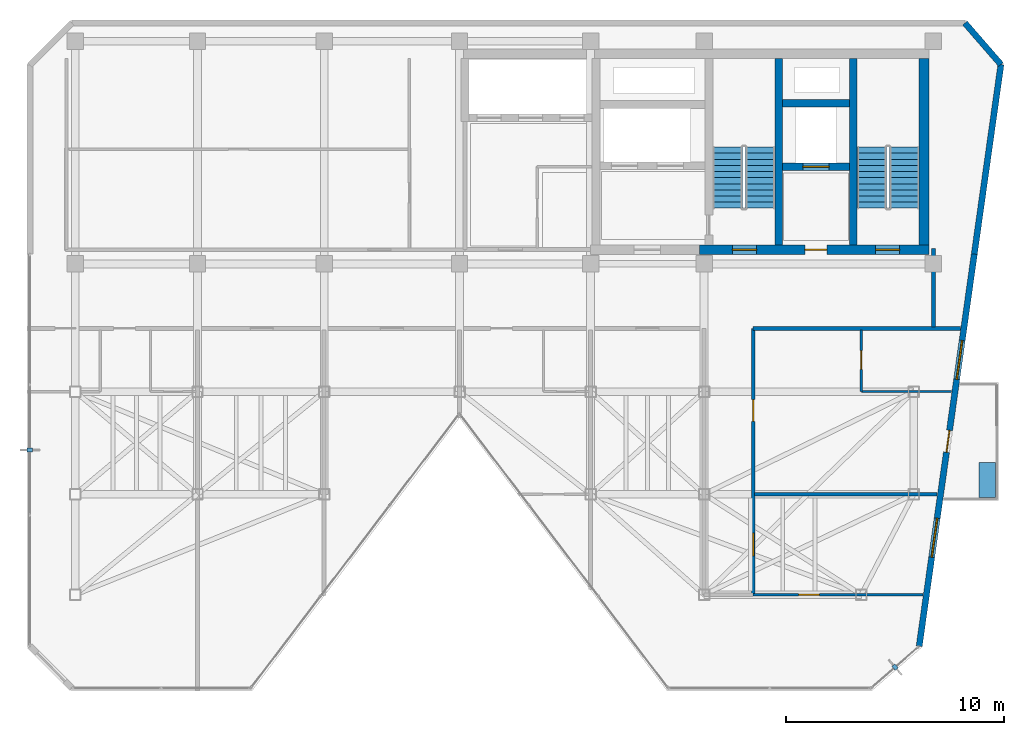
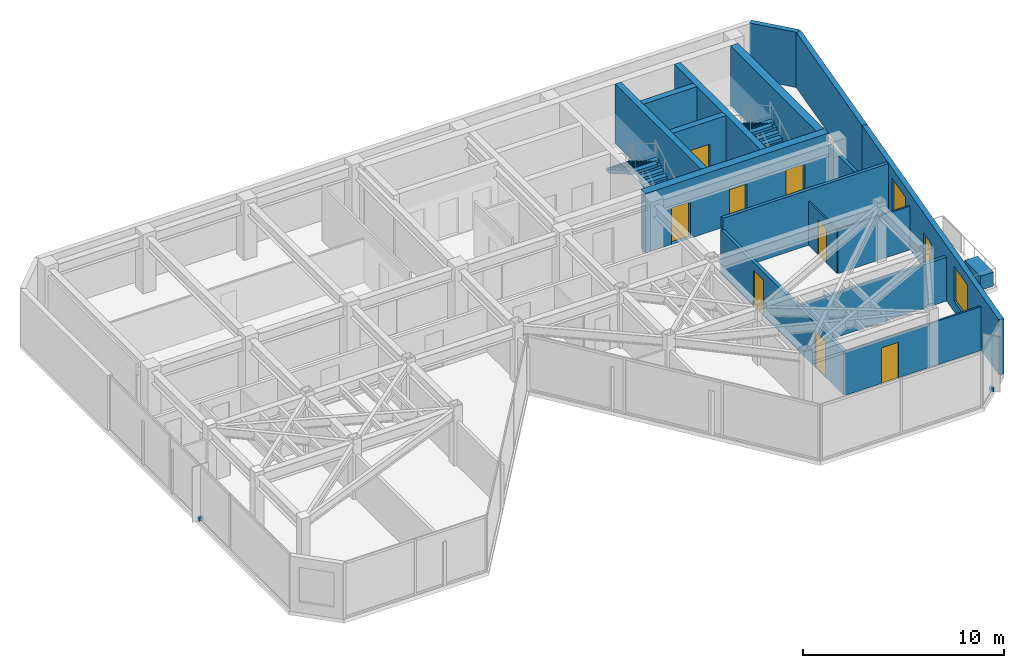
# One storey, part 17 of 19: 16 walls, 9 doors, 4 stair flights, 3 discrete accessories, 2 windows, 11 openings, 2 elements without a shape of their own.
"""IFC4 building model written with IfcOpenShell, lengths in metres."""

from ifc_helpers import new_model, si_unit, direction, frame, frame_2d, origin, origin_2d, place, context, subcontext, project, spatial, polyline, rectangle, outline, extrude, material, layer, layer_set, type_object, element, fill, aggregate, save


model = new_model("IFC4")

# Units and contexts
model_context = context("Model", 3, precision=1e-05, world=origin(), true_north=direction((0.0, 1.0)))
body_context = subcontext(model_context, "Body", "Model", "MODEL_VIEW")
ifc_project = project(units=[si_unit("LENGTHUNIT", "METRE"), si_unit("AREAUNIT", "SQUARE_METRE"), si_unit("VOLUMEUNIT", "CUBIC_METRE"), si_unit("PLANEANGLEUNIT", "RADIAN"), si_unit("MASSUNIT", "GRAM", prefix="KILO")], contexts=[model_context])

# Site, building, storey
site_placement = place(None, origin())
site = spatial("IfcSite", under=ifc_project, at=site_placement, CompositionType="ELEMENT")
building_placement = place(site_placement, origin())
building = spatial("IfcBuilding", under=site, at=building_placement, Name="Kravanh Interchange Tower", CompositionType="ELEMENT")
storey_placement = place(building_placement, frame((0.0, 0.0, 259.800048828125)))
storey = spatial("IfcBuildingStorey", under=building, at=storey_placement, Name="L63", CompositionType="ELEMENT", Elevation=259.800048828125)

# Walls
ifc_material_1 = material(Name="Concrete C60/75", Category="concrete")
ifc_layer_1 = layer(ifc_material_1, 0.35009765625)
ifc_layer_set_1 = layer_set([ifc_layer_1], Name="Core Shear Wall Concrete C60/75 350mm")
wall_type_1 = type_object("IfcWallType", Name="Core Shear Wall Concrete C60/75 350mm", PredefinedType="SHEAR", material=ifc_layer_set_1)
for number, where, z_axis, x_axis, name in (
    (1, (62.824951171875, 38.22509765625, 0.0), (0.0, 0.0, 1.0), (0.0, 1.0, 0.0), "L63 Stair ST1 West Shear Wall"),
    (2, (59.425048828125, 38.22509765625, 0.0), (0.0, 0.0, 1.0), (0.0, 1.0, 0.0), "L63 Stair ST2 East Shear Wall"),
):
    element("IfcWall", number, at=place(storey_placement, frame(where, z_axis=z_axis, x_axis=x_axis)), inside=storey, type_object=wall_type_1, Name=name, PredefinedType="SHEAR", context=body_context, shape_type="SweptSolid", body=[
        extrude(rectangle(XDim=8.52490234375, YDim=0.35009765625, at=frame_2d((4.262451171875, 0.0))), origin(), (0.0, 0.0, 1.0), 3.599853515625),
    ])

# Wall, opening, door
wall_1_placement = place(storey_placement, frame((59.60009765625, 41.800048828125, 0.0), z_axis=(0.0, 0.0, 1.0), x_axis=(1.0, 0.0, 0.0)))
wall_1 = element("IfcWall", 3, at=wall_1_placement, inside=storey, type_object=wall_type_1, Name="L63 Service Lift Shaft South Wall", PredefinedType="SHEAR", context=body_context, shape_type="SweptSolid", body=[
    extrude(rectangle(XDim=3.0498046875, YDim=0.35009765625, at=frame_2d((1.52490234375, 0.0))), origin(), (0.0, 0.0, 1.0), 3.599853515625),
])
opening_1_placement = place(wall_1_placement, frame((0.919921875, 0.0, 0.0)))
opening_1 = element("IfcOpeningElement", 4, at=opening_1_placement, cuts=wall_1, Name="Opening LD02", PredefinedType="OPENING", context=body_context, shape_type="SweptSolid", body=[
    extrude(rectangle(XDim=1.199951171875, YDim=2.199951171875, at=frame_2d((0.60009765625, 1.10009765625))), frame((0.0, 0.18505859375, 0.0), z_axis=(0.0, -1.0, 0.0), x_axis=(1.0, 0.0, 0.0)), (0.0, 0.0, 1.0), 0.3701171875),
])
ifc_material_2 = material(Name="Stainless Steel 316", Category="steel")
door_type_1 = type_object("IfcDoorType", Name="Fire and Service Lift Sliding Landing Door 1200x2200", OperationType="DOUBLE_DOOR_SLIDING", PredefinedType="DOOR", material=ifc_material_2)
door_1_placement = place(opening_1_placement, origin())
door_1 = element("IfcDoor", 5, at=door_1_placement, inside=storey, type_object=door_type_1, Name="L63 Lift LS-01 Landing Door", OperationType="DOUBLE_DOOR_SLIDING", OverallHeight=2.199951171875, OverallWidth=1.199951171875, PredefinedType="DOOR", context=body_context, shape_type="SweptSolid", body=[
    extrude(rectangle(XDim=1.199951171875, YDim=2.199951171875, at=frame_2d((0.60009765625, 1.10009765625))), frame((0.0, 0.02490234375, 0.0), z_axis=(0.0, -1.0, 0.0), x_axis=(1.0, 0.0, 0.0)), (0.0, 0.0, 1.0), 0.050048828125),
])
fill(opening_1, door_1)

# Wall
wall_2_placement = place(storey_placement, frame((59.60009765625, 44.699951171875, 0.0), z_axis=(0.0, 0.0, 1.0), x_axis=(1.0, 0.0, 0.0)))
element("IfcWall", 6, at=wall_2_placement, inside=storey, type_object=wall_type_1, Name="L63 Service Lift Shaft North Wall", PredefinedType="SHEAR", context=body_context, shape_type="SweptSolid", body=[
    extrude(rectangle(XDim=3.0498046875, YDim=0.35009765625, at=frame_2d((1.52490234375, 0.0))), origin(), (0.0, 0.0, 1.0), 3.599853515625),
])

# Wall, openings, doors
ifc_material_3 = material(Name="Concrete C60/75", Category="concrete")
ifc_layer_2 = layer(ifc_material_3, 0.449951171875)
ifc_layer_set_2 = layer_set([ifc_layer_2], Name="Core Shear Wall Concrete C60/75 450mm")
wall_type_2 = type_object("IfcWallType", Name="Core Shear Wall Concrete C60/75 450mm", PredefinedType="SHEAR", material=ifc_layer_set_2)
wall_3_placement = place(storey_placement, frame((55.800048828125, 38.0, 0.0), z_axis=(0.0, 0.0, 1.0), x_axis=(1.0, 0.0, 0.0)))
wall_3 = element("IfcWall", 7, at=wall_3_placement, inside=storey, type_object=wall_type_2, Name="L63 East Core South Shear Wall", PredefinedType="SHEAR", context=body_context, shape_type="SweptSolid", body=[
    extrude(rectangle(XDim=10.5, YDim=0.449951171875, at=frame_2d((5.25, 0.0))), origin(), (0.0, 0.0, 1.0), 3.599853515625),
])
opening_2_placement = place(wall_3_placement, frame((1.5, 0.0, 0.0)))
opening_2 = element("IfcOpeningElement", 8, at=opening_2_placement, cuts=wall_3, Name="Opening D-STAIR-110", PredefinedType="OPENING", context=body_context, shape_type="SweptSolid", body=[
    extrude(rectangle(XDim=1.10009765625, YDim=2.199951171875, at=frame_2d((0.550048828125, 1.10009765625))), frame((0.0, 0.23486328125, 0.0), z_axis=(0.0, -1.0, 0.0), x_axis=(1.0, 0.0, 0.0)), (0.0, 0.0, 1.0), 0.469970703125),
])
opening_3_placement = place(wall_3_placement, frame((4.820068359375, 0.0, 0.0)))
opening_3 = element("IfcOpeningElement", 9, at=opening_3_placement, cuts=wall_3, Name="Opening D-HOTEL-100", PredefinedType="OPENING", context=body_context, shape_type="SweptSolid", body=[
    extrude(rectangle(XDim=1.0, YDim=2.14990234375, at=frame_2d((0.5, 1.074951171875))), frame((0.0, 0.23486328125, 0.0), z_axis=(0.0, -1.0, 0.0), x_axis=(1.0, 0.0, 0.0)), (0.0, 0.0, 1.0), 0.469970703125),
])
opening_4_placement = place(wall_3_placement, frame((8.050048828125, 0.0, 0.0)))
opening_4 = element("IfcOpeningElement", 10, at=opening_4_placement, cuts=wall_3, Name="Opening D-STAIR-110", PredefinedType="OPENING", context=body_context, shape_type="SweptSolid", body=[
    extrude(rectangle(XDim=1.10009765625, YDim=2.199951171875, at=frame_2d((0.550048828125, 1.10009765625))), frame((0.0, 0.23486328125, 0.0), z_axis=(0.0, -1.0, 0.0), x_axis=(1.0, 0.0, 0.0)), (0.0, 0.0, 1.0), 0.469970703125),
])
ifc_material_4 = material(Name="Structural Steel S355", Category="steel")
door_type_2 = type_object("IfcDoorType", Name="Fire-Rated Exit Stair Door 1100x2200", OperationType="NOTDEFINED", PredefinedType="DOOR", material=ifc_material_4)
door_2_placement = place(opening_2_placement, origin())
door_2 = element("IfcDoor", 11, at=door_2_placement, inside=storey, type_object=door_type_2, Name="L63 Exit Stair ST2 Door", OperationType="SINGLE_SWING_RIGHT", OverallHeight=2.199951171875, OverallWidth=1.10009765625, PredefinedType="DOOR", context=body_context, shape_type="SweptSolid", body=[
    extrude(rectangle(XDim=1.10009765625, YDim=2.199951171875, at=frame_2d((0.550048828125, 1.10009765625))), frame((0.0, 0.02490234375, 0.0), z_axis=(0.0, -1.0, 0.0), x_axis=(1.0, 0.0, 0.0)), (0.0, 0.0, 1.0), 0.050048828125),
])
fill(opening_2, door_2)
door_3_placement = place(opening_4_placement, origin())
door_3 = element("IfcDoor", 12, at=door_3_placement, inside=storey, type_object=door_type_2, Name="L63 Exit Stair ST1 Door", OperationType="SINGLE_SWING_RIGHT", OverallHeight=2.199951171875, OverallWidth=1.10009765625, PredefinedType="DOOR", context=body_context, shape_type="SweptSolid", body=[
    extrude(rectangle(XDim=1.10009765625, YDim=2.199951171875, at=frame_2d((0.550048828125, 1.10009765625))), frame((0.0, 0.02490234375, 0.0), z_axis=(0.0, -1.0, 0.0), x_axis=(1.0, 0.0, 0.0)), (0.0, 0.0, 1.0), 0.050048828125),
])
fill(opening_4, door_3)
ifc_material_5 = material(Name="Fire-Rated Solid Timber Leaf", Category="wood")
door_type_3 = type_object("IfcDoorType", Name="Fire-Rated Suite Entrance Door 1000x2150", OperationType="NOTDEFINED", PredefinedType="DOOR", material=ifc_material_5)
door_4_placement = place(opening_3_placement, origin())
door_4 = element("IfcDoor", 13, at=door_4_placement, inside=storey, type_object=door_type_3, Name="L63 Service Lift Lobby Door", OperationType="SINGLE_SWING_RIGHT", OverallHeight=2.14990234375, OverallWidth=1.0, PredefinedType="DOOR", context=body_context, shape_type="SweptSolid", body=[
    extrude(rectangle(XDim=1.0, YDim=2.14990234375, at=frame_2d((0.5, 1.074951171875))), frame((0.0, 0.02490234375, 0.0), z_axis=(0.0, -1.0, 0.0), x_axis=(1.0, 0.0, 0.0)), (0.0, 0.0, 1.0), 0.050048828125),
])
fill(opening_3, door_4)

# Wall
wall_4_placement = place(storey_placement, frame((66.074951171875, 38.22509765625, 0.0), z_axis=(0.0, 0.0, 1.0), x_axis=(0.0, 1.0, 0.0)))
element("IfcWall", 14, at=wall_4_placement, inside=storey, type_object=wall_type_2, Name="L63 Stair ST1 East Shear Wall", PredefinedType="SHEAR", context=body_context, shape_type="SweptSolid", body=[
    extrude(rectangle(XDim=8.52490234375, YDim=0.449951171875, at=frame_2d((4.262451171875, 0.0))), origin(), (0.0, 0.0, 1.0), 3.599853515625),
])

# Wall, opening, door
ifc_material_6 = material(Name="Moisture-Resistant Gypsum Board and Mineral Wool")
ifc_layer_3 = layer(ifc_material_6, 0.10009765625)
ifc_layer_set_3 = layer_set([ifc_layer_3], Name="En-Suite Moisture-Resistant Partition 100mm")
wall_type_3 = type_object("IfcWallType", Name="En-Suite Moisture-Resistant Partition 100mm", PredefinedType="PARTITIONING", material=ifc_layer_set_3)
wall_5_placement = place(storey_placement, frame((58.25, 22.199951171875, 0.0), z_axis=(0.0, 0.0, 1.0), x_axis=(1.0, 0.0, 0.0)))
wall_5 = element("IfcWall", 15, at=wall_5_placement, inside=storey, type_object=wall_type_3, Name="L63 Interior Partition 18", PredefinedType="PARTITIONING", context=body_context, shape_type="SweptSolid", body=[
    extrude(rectangle(XDim=7.765869140625, YDim=0.10009765625, at=frame_2d((3.8828125, 0.0))), origin(), (0.0, 0.0, 1.0), 2.654052734375),
])
opening_5_placement = place(wall_5_placement, frame((2.074951171875, 0.0, 0.0)))
opening_5 = element("IfcOpeningElement", 16, at=opening_5_placement, cuts=wall_5, Name="Opening D-95", PredefinedType="OPENING", context=body_context, shape_type="SweptSolid", body=[
    extrude(rectangle(XDim=0.949951171875, YDim=2.14990234375, at=frame_2d((0.47509765625, 1.074951171875))), frame((0.0, 0.06005859375, 0.0), z_axis=(0.0, -1.0, 0.0), x_axis=(1.0, 0.0, 0.0)), (0.0, 0.0, 1.0), 0.1201171875),
])
ifc_material_7 = material(Name="Laminate Solid-Core Timber", Category="wood")
door_type_4 = type_object("IfcDoorType", Name="Accessible Restroom Door 950x2150", OperationType="NOTDEFINED", PredefinedType="DOOR", material=ifc_material_7)
door_5_placement = place(opening_5_placement, origin())
door_5 = element("IfcDoor", 17, at=door_5_placement, inside=storey, type_object=door_type_4, Name="L63 SE Sunroom Inner Door", OperationType="SINGLE_SWING_RIGHT", OverallHeight=2.14990234375, OverallWidth=0.949951171875, PredefinedType="DOOR", context=body_context, shape_type="SweptSolid", body=[
    extrude(rectangle(XDim=0.949951171875, YDim=2.14990234375, at=frame_2d((0.47509765625, 1.074951171875))), frame((0.0, 0.02490234375, 0.0), z_axis=(0.0, -1.0, 0.0), x_axis=(1.0, 0.0, 0.0)), (0.0, 0.0, 1.0), 0.050048828125),
])
fill(opening_5, door_5)

# Wall
wall_6_placement = place(storey_placement, frame((63.199951171875, 31.5, 0.0), z_axis=(0.0, 0.0, 1.0), x_axis=(1.0, 0.0, 0.0)))
element("IfcWall", 18, at=wall_6_placement, inside=storey, type_object=wall_type_3, Name="L63 Interior Partition 19", PredefinedType="PARTITIONING", context=body_context, shape_type="SweptSolid", body=[
    extrude(rectangle(XDim=4.123046875, YDim=0.10009765625, at=frame_2d((2.0615234375, 0.0))), origin(), (0.0, 0.0, 1.0), 2.654052734375),
])

# Wall, opening, door
wall_7_placement = place(storey_placement, frame((63.199951171875, 31.5, 0.0), z_axis=(0.0, 0.0, 1.0), x_axis=(0.0, 1.0, 0.0)))
wall_7 = element("IfcWall", 19, at=wall_7_placement, inside=storey, type_object=wall_type_3, Name="L63 Interior Partition 20", PredefinedType="PARTITIONING", context=body_context, shape_type="SweptSolid", body=[
    extrude(rectangle(XDim=2.83203125, YDim=0.10009765625, at=frame_2d((1.416015625, 0.0))), origin(), (0.0, 0.0, 1.0), 2.654052734375),
])
opening_6_placement = place(wall_7_placement, frame((1.02490234375, 0.0, 0.0)))
opening_6 = element("IfcOpeningElement", 20, at=opening_6_placement, cuts=wall_7, Name="Opening D-85", PredefinedType="OPENING", context=body_context, shape_type="SweptSolid", body=[
    extrude(rectangle(XDim=0.85009765625, YDim=2.10009765625, at=frame_2d((0.425048828125, 1.050048828125))), frame((0.0, 0.06005859375, 0.0), z_axis=(0.0, -1.0, 0.0), x_axis=(1.0, 0.0, 0.0)), (0.0, 0.0, 1.0), 0.1201171875),
])
ifc_material_8 = material(Name="Engineered Teak Veneer Timber", Category="wood")
door_type_5 = type_object("IfcDoorType", Name="En-Suite Timber Door 850x2100", OperationType="NOTDEFINED", PredefinedType="DOOR", material=ifc_material_8)
door_6_placement = place(opening_6_placement, origin())
door_6 = element("IfcDoor", 21, at=door_6_placement, inside=storey, type_object=door_type_5, Name="L63 En-suite Bathroom Door", OperationType="SINGLE_SWING_RIGHT", OverallHeight=2.10009765625, OverallWidth=0.85009765625, PredefinedType="DOOR", context=body_context, shape_type="SweptSolid", body=[
    extrude(rectangle(XDim=0.85009765625, YDim=2.10009765625, at=frame_2d((0.425048828125, 1.050048828125))), frame((0.0, 0.02490234375, 0.0), z_axis=(0.0, -1.0, 0.0), x_axis=(1.0, 0.0, 0.0)), (0.0, 0.0, 1.0), 0.050048828125),
])
fill(opening_6, door_6)

# Walls
ifc_material_9 = material(Name="Insulated Precast Concrete C40/50 with Bronze Cladding", Category="concrete")
ifc_layer_4 = layer(ifc_material_9, 0.280029296875)
ifc_layer_set_4 = layer_set([ifc_layer_4], Name="Exterior Insulated Concrete C40/50 Bronze Spandrel Wall 280mm")
wall_type_4 = type_object("IfcWallType", Name="Exterior Insulated Concrete C40/50 Bronze Spandrel Wall 280mm", PredefinedType="STANDARD", material=ifc_layer_set_4)
wall_8_placement = place(storey_placement, frame((67.9453125, 48.3798828125, 0.0), z_axis=(0.0, 0.0, 1.0), x_axis=(0.656068147197, -0.75470165379, 0.0)))
element("IfcWall", 22, at=wall_8_placement, inside=storey, type_object=wall_type_4, Name="L63 Exterior Wall 4", PredefinedType="STANDARD", context=body_context, shape_type="SweptSolid", body=[
    extrude(rectangle(XDim=2.514892578125, YDim=0.280029296875, at=frame_2d((1.25732421875, 0.0))), origin(), (0.0, 0.0, 1.0), 3.349853515625),
])
wall_9_placement = place(storey_placement, frame((69.59521484375, 46.48193359375, 0.0), z_axis=(0.0, 0.0, 1.0), x_axis=(-0.139179310088, -0.990267196086, 0.0)))
element("IfcWall", 23, at=wall_9_placement, inside=storey, type_object=wall_type_4, Name="L63 Exterior Wall 5", PredefinedType="STANDARD", context=body_context, shape_type="SweptSolid", body=[
    extrude(rectangle(XDim=8.767333984375, YDim=0.280029296875, at=frame_2d((4.3837890625, 0.0))), origin(), (0.0, 0.0, 1.0), 3.349853515625),
])

# Wall, openings, door, windows
wall_10_placement = place(storey_placement, frame((68.375, 37.800048828125, 0.0), z_axis=(0.0, 0.0, 1.0), x_axis=(-0.13917438523, -0.990267888248, 0.0)))
wall_10 = element("IfcWall", 24, at=wall_10_placement, inside=storey, type_object=wall_type_4, Name="L63 Exterior Wall 6", PredefinedType="STANDARD", context=body_context, shape_type="SweptSolid", body=[
    extrude(rectangle(XDim=18.135009765625, YDim=0.280029296875, at=frame_2d((9.0673828125, 0.0))), origin(), (0.0, 0.0, 1.0), 3.349853515625),
])
opening_7_placement = place(wall_10_placement, frame((8.15771484375, 0.0, 0.0)))
opening_7 = element("IfcOpeningElement", 25, at=opening_7_placement, cuts=wall_10, Name="Opening ED-BAL100", PredefinedType="OPENING", context=body_context, shape_type="SweptSolid", body=[
    extrude(rectangle(XDim=1.0, YDim=2.14990234375, at=frame_2d((0.5, 1.074951171875))), frame((0.0, 0.14990234375, 0.0), z_axis=(0.0, -1.0, 0.0), x_axis=(1.0, 0.0, 0.0)), (0.0, 0.0, 1.0), 0.300048828125),
])
opening_8_placement = place(wall_10_placement, frame((3.997314453125, 0.0, 0.64990234375)))
opening_8 = element("IfcOpeningElement", 26, at=opening_8_placement, cuts=wall_10, Name="Opening WN-180X210", PredefinedType="OPENING", context=body_context, shape_type="SweptSolid", body=[
    extrude(rectangle(XDim=1.800048828125, YDim=2.10009765625, at=frame_2d((0.89990234375, 1.050048828125))), frame((0.0, 0.14990234375, 0.0), z_axis=(0.0, -1.0, 0.0), x_axis=(1.0, 0.0, 0.0)), (0.0, 0.0, 1.0), 0.300048828125),
])
opening_9_placement = place(wall_10_placement, frame((12.216796875, 0.0, 0.64990234375)))
opening_9 = element("IfcOpeningElement", 27, at=opening_9_placement, cuts=wall_10, Name="Opening WN-180X210", PredefinedType="OPENING", context=body_context, shape_type="SweptSolid", body=[
    extrude(rectangle(XDim=1.800048828125, YDim=2.10009765625, at=frame_2d((0.89990234375, 1.050048828125))), frame((0.0, 0.14990234375, 0.0), z_axis=(0.0, -1.0, 0.0), x_axis=(1.0, 0.0, 0.0)), (0.0, 0.0, 1.0), 0.300048828125),
])
ifc_material_10 = material(Name="Thermally Broken Bronze Aluminium and Laminated Glass", Category="aluminium")
door_type_6 = type_object("IfcDoorType", Name="Balcony Glazed Door 1000x2150", OperationType="NOTDEFINED", PredefinedType="DOOR", material=ifc_material_10)
door_7_placement = place(opening_7_placement, origin())
door_7 = element("IfcDoor", 28, at=door_7_placement, inside=storey, type_object=door_type_6, Name="L63 E Tree Balcony Access Door", OperationType="SINGLE_SWING_RIGHT", OverallHeight=2.14990234375, OverallWidth=1.0, PredefinedType="DOOR", context=body_context, shape_type="SweptSolid", body=[
    extrude(rectangle(XDim=1.0, YDim=2.14990234375, at=frame_2d((0.5, 1.074951171875))), frame((0.0, 0.02490234375, 0.0), z_axis=(0.0, -1.0, 0.0), x_axis=(1.0, 0.0, 0.0)), (0.0, 0.0, 1.0), 0.050048828125),
])
fill(opening_7, door_7)
ifc_material_11 = material(Name="Thermally Broken Bronze Aluminium and Low-E Glass", Category="aluminium")
window_type = type_object("IfcWindowType", Name="Tower Pier Window 1800x2100", PartitioningType="SINGLE_PANEL", PredefinedType="WINDOW", material=ifc_material_11)
window_1_placement = place(opening_8_placement, origin())
window_1 = element("IfcWindow", 29, at=window_1_placement, inside=storey, type_object=window_type, Name="L63 Facade Window 6A", OverallHeight=2.10009765625, OverallWidth=1.800048828125, PartitioningType="SINGLE_PANEL", PredefinedType="WINDOW", context=body_context, shape_type="SweptSolid", body=[
    extrude(rectangle(XDim=1.800048828125, YDim=2.10009765625, at=frame_2d((0.89990234375, 1.050048828125))), frame((0.0, 0.030029296875, 0.0), z_axis=(0.0, -1.0, 0.0), x_axis=(1.0, 0.0, 0.0)), (0.0, 0.0, 1.0), 0.06005859375),
])
fill(opening_8, window_1)
window_2_placement = place(opening_9_placement, origin())
window_2 = element("IfcWindow", 30, at=window_2_placement, inside=storey, type_object=window_type, Name="L63 Facade Window 6B", OverallHeight=2.10009765625, OverallWidth=1.800048828125, PartitioningType="SINGLE_PANEL", PredefinedType="WINDOW", context=body_context, shape_type="SweptSolid", body=[
    extrude(rectangle(XDim=1.800048828125, YDim=2.10009765625, at=frame_2d((0.89990234375, 1.050048828125))), frame((0.0, 0.030029296875, 0.0), z_axis=(0.0, -1.0, 0.0), x_axis=(1.0, 0.0, 0.0)), (0.0, 0.0, 1.0), 0.06005859375),
])
fill(opening_9, window_2)

# Walls
ifc_material_12 = material(Name="Autoclaved Aerated Concrete C30/37 Blockwork", Category="masonry")
ifc_layer_5 = layer(ifc_material_12, 0.179931640625)
ifc_layer_set_5 = layer_set([ifc_layer_5], Name="Fire-Rated Lobby and Corridor Wall Concrete C30/37 180mm")
wall_type_5 = type_object("IfcWallType", Name="Fire-Rated Lobby and Corridor Wall Concrete C30/37 180mm", PredefinedType="STANDARD", material=ifc_layer_set_5)
wall_11_placement = place(storey_placement, frame((58.25, 34.39990234375, 0.0), z_axis=(0.0, 0.0, 1.0), x_axis=(1.0, 0.0, 0.0)))
element("IfcWall", 31, at=wall_11_placement, inside=storey, type_object=wall_type_5, Name="L63 Interior Partition 10", PredefinedType="STANDARD", context=body_context, shape_type="SweptSolid", body=[
    extrude(rectangle(XDim=9.48046875, YDim=0.179931640625, at=frame_2d((4.740234375, 0.0))), origin(), (0.0, 0.0, 1.0), 3.349853515625),
])
wall_12_placement = place(storey_placement, frame((66.5, 34.468017578125, 0.0), z_axis=(0.0, 0.0, 1.0), x_axis=(0.0, 1.0, 0.0)))
element("IfcWall", 32, at=wall_12_placement, inside=storey, type_object=wall_type_5, Name="L63 Interior Partition 11", PredefinedType="STANDARD", context=body_context, shape_type="SweptSolid", body=[
    extrude(rectangle(XDim=3.58203125, YDim=0.179931640625, at=frame_2d((1.791015625, 0.0))), origin(), (0.0, 0.0, 1.0), 2.654052734375),
])

# Wall, openings, doors
wall_13_placement = place(storey_placement, frame((58.25, 22.199951171875, 0.0), z_axis=(0.0, 0.0, 1.0), x_axis=(0.0, 1.0, 0.0)))
wall_13 = element("IfcWall", 33, at=wall_13_placement, inside=storey, type_object=wall_type_5, Name="L63 Interior Partition 13", PredefinedType="STANDARD", context=body_context, shape_type="SweptSolid", body=[
    extrude(rectangle(XDim=12.199951171875, YDim=0.179931640625, at=frame_2d((6.10009765625, 0.0))), origin(), (0.0, 0.0, 1.0), 2.654052734375),
])
opening_10_placement = place(wall_13_placement, frame((1.77490234375, 0.0, 0.0)))
opening_10 = element("IfcOpeningElement", 34, at=opening_10_placement, cuts=wall_13, Name="Opening D-105", PredefinedType="OPENING", context=body_context, shape_type="SweptSolid", body=[
    extrude(rectangle(XDim=1.050048828125, YDim=2.199951171875, at=frame_2d((0.52490234375, 1.10009765625))), frame((0.0, 0.10009765625, 0.0), z_axis=(0.0, -1.0, 0.0), x_axis=(1.0, 0.0, 0.0)), (0.0, 0.0, 1.0), 0.199951171875),
])
opening_11_placement = place(wall_13_placement, frame((7.93994140625, 0.0, 0.0)))
opening_11 = element("IfcOpeningElement", 35, at=opening_11_placement, cuts=wall_13, Name="Opening D-HOTEL-100", PredefinedType="OPENING", context=body_context, shape_type="SweptSolid", body=[
    extrude(rectangle(XDim=1.0, YDim=2.14990234375, at=frame_2d((0.5, 1.074951171875))), frame((0.0, 0.10009765625, 0.0), z_axis=(0.0, -1.0, 0.0), x_axis=(1.0, 0.0, 0.0)), (0.0, 0.0, 1.0), 0.199951171875),
])
door_8_placement = place(opening_11_placement, origin())
door_8 = element("IfcDoor", 36, at=door_8_placement, inside=storey, type_object=door_type_3, Name="L63 Hotel Guest Room East Entrance Door", OperationType="SINGLE_SWING_LEFT", OverallHeight=2.14990234375, OverallWidth=1.0, PredefinedType="DOOR", context=body_context, shape_type="SweptSolid", body=[
    extrude(rectangle(XDim=1.0, YDim=2.14990234375, at=frame_2d((0.5, 1.074951171875))), frame((0.0, 0.02490234375, 0.0), z_axis=(0.0, -1.0, 0.0), x_axis=(1.0, 0.0, 0.0)), (0.0, 0.0, 1.0), 0.050048828125),
])
fill(opening_11, door_8)
ifc_material_13 = material(Name="Acoustic Glazed Oak and Aluminium", Category="aluminium")
door_type_7 = type_object("IfcDoorType", Name="Office Workplace Door 1050x2200", OperationType="NOTDEFINED", PredefinedType="DOOR", material=ifc_material_13)
door_9_placement = place(opening_10_placement, origin())
door_9 = element("IfcDoor", 37, at=door_9_placement, inside=storey, type_object=door_type_7, Name="L63 East Sky Salon Lounge Door", OperationType="SINGLE_SWING_LEFT", OverallHeight=2.199951171875, OverallWidth=1.050048828125, PredefinedType="DOOR", context=body_context, shape_type="SweptSolid", body=[
    extrude(rectangle(XDim=1.050048828125, YDim=2.199951171875, at=frame_2d((0.52490234375, 1.10009765625))), frame((0.0, 0.02490234375, 0.0), z_axis=(0.0, -1.0, 0.0), x_axis=(1.0, 0.0, 0.0)), (0.0, 0.0, 1.0), 0.050048828125),
])
fill(opening_10, door_9)

# Wall
wall_14_placement = place(storey_placement, frame((58.318115234375, 26.800048828125, 0.0), z_axis=(0.0, 0.0, 1.0), x_axis=(1.0, 0.0, 0.0)))
element("IfcWall", 38, at=wall_14_placement, inside=storey, type_object=wall_type_5, Name="L63 Interior Partition 17", PredefinedType="STANDARD", context=body_context, shape_type="SweptSolid", body=[
    extrude(rectangle(XDim=8.34423828125, YDim=0.179931640625, at=frame_2d((4.172119140625, 0.0))), origin(), (0.0, 0.0, 1.0), 2.654052734375),
])

# Stair, stair flights
ifc_material_14 = material(Name="Concrete C50/60", Category="concrete")
stair_type = type_object("IfcStairType", Name="Core Fire Exit Dogleg Stair Concrete C50/60", PredefinedType="HALF_TURN_STAIR", material=ifc_material_14)
stair_1_placement = place(storey_placement, origin())
stair_1 = element("IfcStair", 39, at=stair_1_placement, inside=storey, type_object=stair_type, Name="L63 Exit Stair ST1", PredefinedType="HALF_TURN_STAIR")
ifc_material_15 = material(Name="Precast Concrete C50/60", Category="concrete")
ifc_layer_6 = layer(ifc_material_15, 0.199951171875)
ifc_layer_set_6 = layer_set([ifc_layer_6], Name="Precast Concrete C50/60 Stair Flight 1350mm")
stair_flight_type = type_object("IfcStairFlightType", Name="Precast Concrete C50/60 Stair Flight 1350mm", PredefinedType="STRAIGHT", material=ifc_layer_set_6)
stair_flight_1_placement = place(storey_placement, frame((65.175048828125, 39.89990234375, 0.0), z_axis=(0.0, 0.0, 1.0), x_axis=(0.0, 1.0, 0.0)))
stair_flight_1 = element("IfcStairFlight", 40, at=stair_flight_1_placement, type_object=stair_flight_type, Name="ST1 flight 1", NumberOfRisers=11, NumberOfTreads=10, PredefinedType="STRAIGHT", RiserHeight=0.163636364, TreadLength=0.28, context=body_context, shape_type="SweptSolid", body=[
    extrude(outline(polyline([(0.0, 0.0), (0.0, 0.16357421875), (0.280029296875, 0.16357421875), (0.280029296875, 0.327392578125), (0.56005859375, 0.327392578125), (0.56005859375, 0.490966796875), (0.840087890625, 0.490966796875), (0.840087890625, 0.654541015625), (1.1201171875, 0.654541015625), (1.1201171875, 0.818115234375), (1.39990234375, 0.818115234375), (1.39990234375, 0.98193359375), (1.679931640625, 0.98193359375), (1.679931640625, 1.1455078125), (1.9599609375, 1.1455078125), (1.9599609375, 1.30908203125), (2.239990234375, 1.30908203125), (2.239990234375, 1.47265625), (2.52001953125, 1.47265625), (2.52001953125, 1.636474609375), (2.800048828125, 1.636474609375), (2.800048828125, 1.800048828125), (2.800048828125, 1.462646484375), (0.297119140625, 0.0), (0.0, 0.0)])), frame((0.0, 0.675048828125, 0.0), z_axis=(0.0, -1.0, 0.0), x_axis=(1.0, 0.0, 0.0)), (0.0, 0.0, 1.0), 1.35009765625),
])
stair_flight_2_placement = place(storey_placement, frame((63.675048828125, 42.699951171875, 1.800048828125), z_axis=(0.0, 0.0, 1.0), x_axis=(0.0, -1.0, 0.0)))
stair_flight_2 = element("IfcStairFlight", 41, at=stair_flight_2_placement, type_object=stair_flight_type, Name="ST1 flight 2", NumberOfRisers=11, NumberOfTreads=10, PredefinedType="STRAIGHT", RiserHeight=0.163636364, TreadLength=0.28, context=body_context, shape_type="SweptSolid", body=[
    extrude(outline(polyline([(0.0, 0.0), (0.0, 0.16357421875), (0.280029296875, 0.16357421875), (0.280029296875, 0.327392578125), (0.56005859375, 0.327392578125), (0.56005859375, 0.490966796875), (0.840087890625, 0.490966796875), (0.840087890625, 0.654541015625), (1.1201171875, 0.654541015625), (1.1201171875, 0.818115234375), (1.39990234375, 0.818115234375), (1.39990234375, 0.98193359375), (1.679931640625, 0.98193359375), (1.679931640625, 1.1455078125), (1.9599609375, 1.1455078125), (1.9599609375, 1.30908203125), (2.239990234375, 1.30908203125), (2.239990234375, 1.47265625), (2.52001953125, 1.47265625), (2.52001953125, 1.636474609375), (2.800048828125, 1.636474609375), (2.800048828125, 1.800048828125), (2.800048828125, 1.462646484375), (0.297119140625, 0.0), (0.0, 0.0)])), frame((0.0, 0.675048828125, 0.0), z_axis=(0.0, -1.0, 0.0), x_axis=(1.0, 0.0, 0.0)), (0.0, 0.0, 1.0), 1.35009765625),
])
aggregate(stair_1, [stair_flight_1, stair_flight_2])

stair_2_placement = place(storey_placement, origin())
stair_2 = element("IfcStair", 42, at=stair_2_placement, inside=storey, type_object=stair_type, Name="L63 Exit Stair ST2", PredefinedType="HALF_TURN_STAIR")
stair_flight_3_placement = place(storey_placement, frame((58.574951171875, 39.89990234375, 0.0), z_axis=(0.0, 0.0, 1.0), x_axis=(0.0, 1.0, 0.0)))
stair_flight_3 = element("IfcStairFlight", 43, at=stair_flight_3_placement, type_object=stair_flight_type, Name="ST2 flight 1", NumberOfRisers=11, NumberOfTreads=10, PredefinedType="STRAIGHT", RiserHeight=0.163636364, TreadLength=0.28, context=body_context, shape_type="SweptSolid", body=[
    extrude(outline(polyline([(0.0, 0.0), (0.0, 0.16357421875), (0.280029296875, 0.16357421875), (0.280029296875, 0.327392578125), (0.56005859375, 0.327392578125), (0.56005859375, 0.490966796875), (0.840087890625, 0.490966796875), (0.840087890625, 0.654541015625), (1.1201171875, 0.654541015625), (1.1201171875, 0.818115234375), (1.39990234375, 0.818115234375), (1.39990234375, 0.98193359375), (1.679931640625, 0.98193359375), (1.679931640625, 1.1455078125), (1.9599609375, 1.1455078125), (1.9599609375, 1.30908203125), (2.239990234375, 1.30908203125), (2.239990234375, 1.47265625), (2.52001953125, 1.47265625), (2.52001953125, 1.636474609375), (2.800048828125, 1.636474609375), (2.800048828125, 1.800048828125), (2.800048828125, 1.462646484375), (0.297119140625, 0.0), (0.0, 0.0)])), frame((0.0, 0.675048828125, 0.0), z_axis=(0.0, -1.0, 0.0), x_axis=(1.0, 0.0, 0.0)), (0.0, 0.0, 1.0), 1.35009765625),
])
stair_flight_4_placement = place(storey_placement, frame((57.074951171875, 42.699951171875, 1.800048828125), z_axis=(0.0, 0.0, 1.0), x_axis=(0.0, -1.0, 0.0)))
stair_flight_4 = element("IfcStairFlight", 44, at=stair_flight_4_placement, type_object=stair_flight_type, Name="ST2 flight 2", NumberOfRisers=11, NumberOfTreads=10, PredefinedType="STRAIGHT", RiserHeight=0.163636364, TreadLength=0.28, context=body_context, shape_type="SweptSolid", body=[
    extrude(outline(polyline([(0.0, 0.0), (0.0, 0.16357421875), (0.280029296875, 0.16357421875), (0.280029296875, 0.327392578125), (0.56005859375, 0.327392578125), (0.56005859375, 0.490966796875), (0.840087890625, 0.490966796875), (0.840087890625, 0.654541015625), (1.1201171875, 0.654541015625), (1.1201171875, 0.818115234375), (1.39990234375, 0.818115234375), (1.39990234375, 0.98193359375), (1.679931640625, 0.98193359375), (1.679931640625, 1.1455078125), (1.9599609375, 1.1455078125), (1.9599609375, 1.30908203125), (2.239990234375, 1.30908203125), (2.239990234375, 1.47265625), (2.52001953125, 1.47265625), (2.52001953125, 1.636474609375), (2.800048828125, 1.636474609375), (2.800048828125, 1.800048828125), (2.800048828125, 1.462646484375), (0.297119140625, 0.0), (0.0, 0.0)])), frame((0.0, 0.675048828125, 0.0), z_axis=(0.0, -1.0, 0.0), x_axis=(1.0, 0.0, 0.0)), (0.0, 0.0, 1.0), 1.35009765625),
])
aggregate(stair_2, [stair_flight_3, stair_flight_4])

# Discrete accessories
ifc_material_16 = material(Name="Stainless Steel 316", Category="steel")
discrete_accessory_type_1 = type_object("IfcDiscreteAccessoryType", Name="Solar Fin Curtain-Wall Mounting Bracket Stainless 316", PredefinedType="BRACKET", material=ifc_material_16)
for number, where, z_axis, x_axis, name in (
    (45, (25.1201171875, 28.824951171875, 0.0), (0.0, 0.0, 1.0), (-1.0, 0.0, 0.0), "L63 Solar Fin Mounting Bracket 1"),
    (46, (64.745849609375, 18.880859375, 0.0), (0.0, 0.0, 1.0), (0.656059788471, -0.754708920016, 0.0), "L63 Solar Fin Mounting Bracket 2"),
):
    element("IfcDiscreteAccessory", number, at=place(storey_placement, frame(where, z_axis=z_axis, x_axis=x_axis)), inside=storey, type_object=discrete_accessory_type_1, Name=name, PredefinedType="BRACKET", context=body_context, shape_type="SweptSolid", body=[
        extrude(rectangle(XDim=0.239990234375, YDim=0.179931640625, at=origin_2d()), origin(), (0.0, 0.0, 1.0), 0.219970703125),
    ])
ifc_material_17 = material(Name="Architectural GRC Concrete C40/50 with Root Barrier", Category="concrete")
discrete_accessory_type_2 = type_object("IfcDiscreteAccessoryType", Name="Structural Balcony Tree Planter Box Concrete C40/50 1600x750x850", PredefinedType="USERDEFINED", material=ifc_material_17)
discrete_accessory_placement = place(storey_placement, frame((68.969970703125, 27.4599609375, 0.0), z_axis=(0.0, 0.0, 1.0), x_axis=(1.0, 0.0, 0.0)))
element("IfcDiscreteAccessory", 47, at=discrete_accessory_placement, inside=storey, type_object=discrete_accessory_type_2, Name="L63 E Balcony TREE PLANTER", ObjectType="PLANTER", PredefinedType="USERDEFINED", context=body_context, shape_type="SweptSolid", body=[
    extrude(rectangle(XDim=0.75, YDim=1.60009765625, at=origin_2d()), origin(), (0.0, 0.0, 1.0), 0.85009765625),
])

save(model, "model.ifc")
